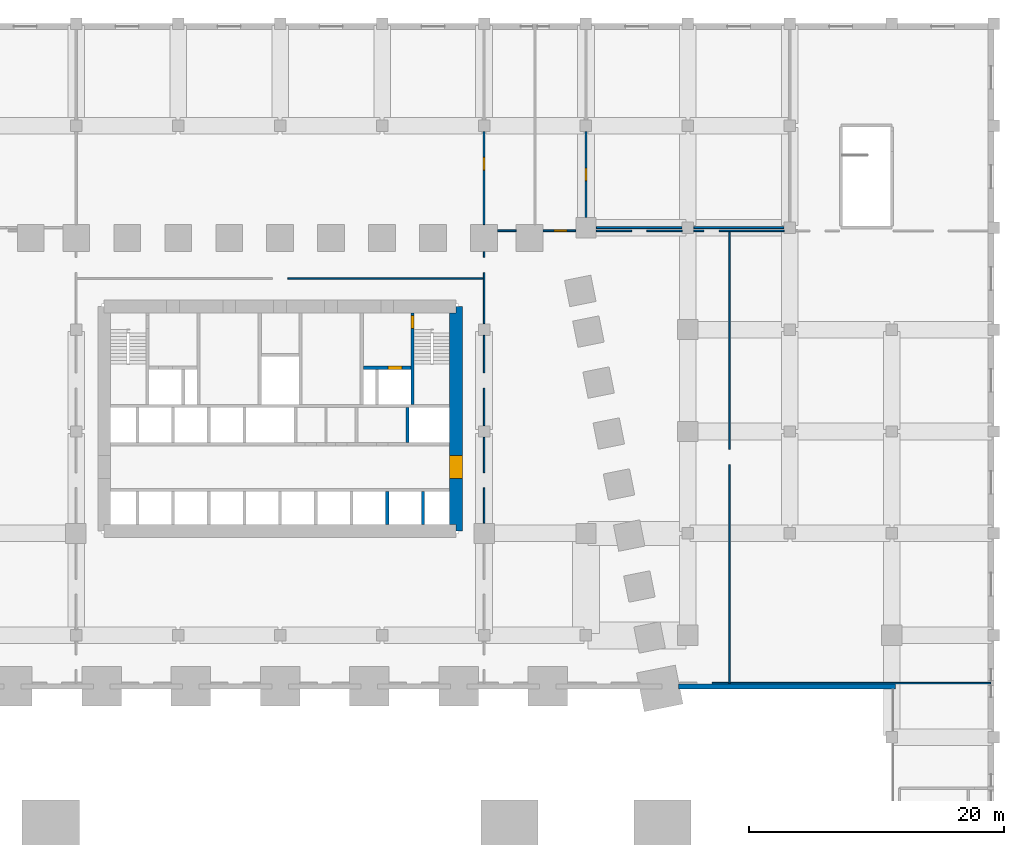
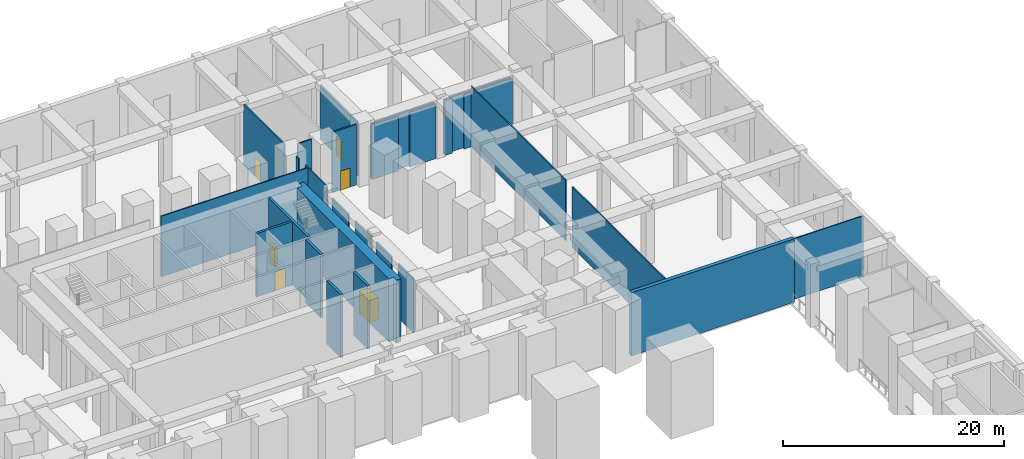
# One storey, part 11 of 18: 27 walls, 6 doors, 6 openings.
"""IFC4 building model written with IfcOpenShell, lengths in metres."""

from ifc_helpers import new_model, si_unit, direction, frame, frame_2d, origin, place, context, subcontext, project, spatial, polyline, rectangle, outline, extrude, material, layer, layer_set, type_object, element, fill, save


model = new_model("IFC4")

# Units and contexts
model_context = context("Model", 3, precision=1e-05, world=origin(), true_north=direction((0.0, 1.0)))
body_context = subcontext(model_context, "Body", "Model", "MODEL_VIEW")
ifc_project = project(units=[si_unit("LENGTHUNIT", "METRE"), si_unit("AREAUNIT", "SQUARE_METRE"), si_unit("VOLUMEUNIT", "CUBIC_METRE"), si_unit("PLANEANGLEUNIT", "RADIAN"), si_unit("MASSUNIT", "GRAM", prefix="KILO")], contexts=[model_context])

# Site, building, storey
site_placement = place(None, origin())
site = spatial("IfcSite", under=ifc_project, at=site_placement, CompositionType="ELEMENT")
building_placement = place(site_placement, origin())
building = spatial("IfcBuilding", under=site, at=building_placement, Name="Isbrekke Arena Tower", CompositionType="ELEMENT")
storey_placement = place(building_placement, frame((0.0, 0.0, 12.0)))
storey = spatial("IfcBuildingStorey", under=building, at=storey_placement, Name="L02", CompositionType="ELEMENT", Elevation=12.0)

# Wall
ifc_material_1 = material(Name="Concrete B45 (C45/55)", Category="concrete")
ifc_layer_1 = layer(ifc_material_1, 0.39990234375)
ifc_layer_set_1 = layer_set([ifc_layer_1], Name="AW1 ARENA WALL 400")
wall_type_1 = type_object("IfcWallType", Name="AW1 ARENA WALL 400", PredefinedType="SHEAR", material=ifc_layer_set_1)
wall_1_placement = place(storey_placement, frame((31.25, -6.0, 0.0), z_axis=(0.0, 0.0, 1.0), x_axis=(1.0, 0.0, 0.0)))
element("IfcWall", 1, at=wall_1_placement, inside=storey, type_object=wall_type_1, Name="Arena north wall 10", PredefinedType="SHEAR", context=body_context, shape_type="SweptSolid", body=[
    extrude(rectangle(XDim=17.050048828125, YDim=0.39990234375, at=frame_2d((8.52490234375, 0.0))), origin(), (0.0, 0.0, 1.0), 7.0),
])

# Wall, opening, door
ifc_material_2 = material(Name="Concrete B65 (C65/80)", Category="concrete")
ifc_layer_2 = layer(ifc_material_2, 1.0)
ifc_layer_set_2 = layer_set([ifc_layer_2], Name="CW1 CORE WALL 1000")
wall_type_2 = type_object("IfcWallType", Name="CW1 CORE WALL 1000", PredefinedType="SHEAR", material=ifc_layer_set_2)
wall_2_placement = place(storey_placement, frame((13.800048828125, 6.199951171875, 0.0), z_axis=(0.0, 0.0, 1.0), x_axis=(0.0, 1.0, 0.0)))
wall_2 = element("IfcWall", 2, at=wall_2_placement, inside=storey, type_object=wall_type_2, Name="Core wall E L02", PredefinedType="SHEAR", context=body_context, shape_type="SweptSolid", body=[
    extrude(outline(polyline([(0.0, -0.5), (17.60009765625, -0.5), (17.60009765625, 0.0), (17.10009765625, 0.0), (17.10009765625, 0.5), (0.5, 0.5), (0.5, 0.0), (0.0, 0.0), (0.0, -0.5)])), origin(), (0.0, 0.0, 1.0), 7.0),
])
opening_1_placement = place(wall_2_placement, frame((4.10009765625, 0.0, 0.0)))
opening_1 = element("IfcOpeningElement", 3, at=opening_1_placement, cuts=wall_2, Name="Opening D1", PredefinedType="OPENING", context=body_context, shape_type="SweptSolid", body=[
    extrude(rectangle(XDim=1.800048828125, YDim=2.39990234375, at=frame_2d((0.89990234375, 1.199951171875))), frame((0.0, 0.514892578125, 0.0), z_axis=(0.0, -1.0, 0.0), x_axis=(1.0, 0.0, 0.0)), (0.0, 0.0, 1.0), 1.02978515625),
])
ifc_material_3 = material(Name="Steel-framed glazed fire door", Category="steel")
door_type_1 = type_object("IfcDoorType", Name="D1 CORE LOBBY DOOR 1800 x 2400", OperationType="DOUBLE_DOOR_SINGLE_SWING", PredefinedType="DOOR", material=ifc_material_3)
door_1_placement = place(opening_1_placement, origin())
door_1 = element("IfcDoor", 4, at=door_1_placement, inside=storey, type_object=door_type_1, Name="D1 lift lobby door east L02", OperationType="DOUBLE_DOOR_SINGLE_SWING", OverallHeight=2.39990234375, OverallWidth=1.800048828125, PredefinedType="DOOR", context=body_context, shape_type="SweptSolid", body=[
    extrude(rectangle(XDim=1.800048828125, YDim=2.39990234375, at=frame_2d((0.89990234375, 1.199951171875))), frame((0.0, 0.499755859375, 0.0), z_axis=(0.0, -1.0, 0.0), x_axis=(1.0, 0.0, 0.0)), (0.0, 0.0, 1.0), 0.99951171875),
])
fill(opening_1, door_1)

# Walls
ifc_material_4 = material(Name="Concrete B45 (C45/55)", Category="concrete")
ifc_layer_3 = layer(ifc_material_4, 0.25)
ifc_layer_set_3 = layer_set([ifc_layer_3], Name="CW6 SHAFT WALL 250")
wall_type_3 = type_object("IfcWallType", Name="CW6 SHAFT WALL 250", PredefinedType="SHEAR", material=ifc_layer_set_3)
for number, where, z_axis, x_axis, name in (
    (5, (8.39990234375, 6.699951171875, 0.0), (0.0, 0.0, 1.0), (0.0, 1.0, 0.0), "Core wall SS08 L02"),
    (6, (11.199951171875, 6.699951171875, 0.0), (0.0, 0.0, 1.0), (0.0, 1.0, 0.0), "Core wall SS09 L02"),
):
    element("IfcWall", number, at=place(storey_placement, frame(where, z_axis=z_axis, x_axis=x_axis)), inside=storey, type_object=wall_type_3, Name=name, PredefinedType="SHEAR", context=body_context, shape_type="SweptSolid", body=[
        extrude(rectangle(XDim=2.574951171875, YDim=0.25, at=frame_2d((1.28759765625, 0.0))), origin(), (0.0, 0.0, 1.0), 7.0),
    ])
wall_3_placement = place(storey_placement, frame((10.0, 13.125, 0.0), z_axis=(0.0, 0.0, 1.0), x_axis=(0.0, 1.0, 0.0)))
element("IfcWall", 7, at=wall_3_placement, inside=storey, type_object=wall_type_3, Name="Core wall SN07 L02", PredefinedType="SHEAR", context=body_context, shape_type="SweptSolid", body=[
    extrude(rectangle(XDim=2.75, YDim=0.25, at=frame_2d((1.375, 0.0))), origin(), (0.0, 0.0, 1.0), 7.0),
])

# Wall, opening, door
wall_4_placement = place(storey_placement, frame((10.39990234375, 16.125, 0.0), z_axis=(0.0, 0.0, 1.0), x_axis=(0.0, 1.0, 0.0)))
wall_4 = element("IfcWall", 8, at=wall_4_placement, inside=storey, type_object=wall_type_3, Name="Core wall NV06 L02", PredefinedType="SHEAR", context=body_context, shape_type="SweptSolid", body=[
    extrude(rectangle(XDim=7.175048828125, YDim=0.25, at=frame_2d((3.58740234375, 0.0))), origin(), (0.0, 0.0, 1.0), 7.0),
])
opening_2_placement = place(wall_4_placement, frame((5.97509765625, 0.0, 0.0)))
opening_2 = element("IfcOpeningElement", 9, at=opening_2_placement, cuts=wall_4, Name="Opening D2", PredefinedType="OPENING", context=body_context, shape_type="SweptSolid", body=[
    extrude(rectangle(XDim=1.0, YDim=2.10009765625, at=frame_2d((0.5, 1.050048828125))), frame((0.0, 0.139892578125, 0.0), z_axis=(0.0, -1.0, 0.0), x_axis=(1.0, 0.0, 0.0)), (0.0, 0.0, 1.0), 0.27978515625),
])
ifc_material_5 = material(Name="Steel fire door", Category="steel")
door_type_2 = type_object("IfcDoorType", Name="D2 STAIR DOOR 1000 x 2100", OperationType="SINGLE_SWING_LEFT", PredefinedType="DOOR", material=ifc_material_5)
door_2_placement = place(opening_2_placement, origin())
door_2 = element("IfcDoor", 10, at=door_2_placement, inside=storey, type_object=door_type_2, Name="D2 stair door ST2 L02", OperationType="SINGLE_SWING_LEFT", OverallHeight=2.10009765625, OverallWidth=1.0, PredefinedType="DOOR", context=body_context, shape_type="SweptSolid", body=[
    extrude(rectangle(XDim=1.0, YDim=2.10009765625, at=frame_2d((0.5, 1.050048828125))), frame((0.0, 0.124755859375, 0.0), z_axis=(0.0, -1.0, 0.0), x_axis=(1.0, 0.0, 0.0)), (0.0, 0.0, 1.0), 0.24951171875),
])
fill(opening_2, door_2)

wall_5_placement = place(storey_placement, frame((6.52490234375, 19.0, 0.0), z_axis=(0.0, 0.0, 1.0), x_axis=(1.0, 0.0, 0.0)))
wall_5 = element("IfcWall", 11, at=wall_5_placement, inside=storey, type_object=wall_type_3, Name="Core wall NFE L02", PredefinedType="SHEAR", context=body_context, shape_type="SweptSolid", body=[
    extrude(rectangle(XDim=3.75, YDim=0.25, at=frame_2d((1.875, 0.0))), origin(), (0.0, 0.0, 1.0), 7.0),
])
opening_3_placement = place(wall_5_placement, frame((1.925048828125, 0.0, 0.0)))
opening_3 = element("IfcOpeningElement", 12, at=opening_3_placement, cuts=wall_5, Name="Opening LD2", PredefinedType="OPENING", context=body_context, shape_type="SweptSolid", body=[
    extrude(rectangle(XDim=1.10009765625, YDim=2.10009765625, at=frame_2d((0.550048828125, 1.050048828125))), frame((0.0, 0.139892578125, 0.0), z_axis=(0.0, -1.0, 0.0), x_axis=(1.0, 0.0, 0.0)), (0.0, 0.0, 1.0), 0.27978515625),
])
ifc_material_6 = material(Name="Stainless steel lift landing door", Category="steel")
door_type_3 = type_object("IfcDoorType", Name="LD2 FIRE-FIGHTING LIFT LANDING DOOR 1100 x 2100", OperationType="SLIDING_TO_RIGHT", PredefinedType="DOOR", material=ifc_material_6)
door_3_placement = place(opening_3_placement, origin())
door_3 = element("IfcDoor", 13, at=door_3_placement, inside=storey, type_object=door_type_3, Name="LD2 lift landing door LF L02", OperationType="SLIDING_TO_RIGHT", OverallHeight=2.10009765625, OverallWidth=1.10009765625, PredefinedType="DOOR", context=body_context, shape_type="SweptSolid", body=[
    extrude(rectangle(XDim=1.10009765625, YDim=2.10009765625, at=frame_2d((0.550048828125, 1.050048828125))), frame((0.0, 0.124755859375, 0.0), z_axis=(0.0, -1.0, 0.0), x_axis=(1.0, 0.0, 0.0)), (0.0, 0.0, 1.0), 0.24951171875),
])
fill(opening_3, door_3)

ifc_material_7 = material(Name="Gypsum board partition on steel studs", Category="steel")
ifc_layer_4 = layer(ifc_material_7, 0.14990234375)
ifc_layer_set_4 = layer_set([ifc_layer_4], Name="IW1 PARTITION 150")
wall_type_4 = type_object("IfcWallType", Name="IW1 PARTITION 150", PredefinedType="PARTITIONING", material=ifc_layer_set_4)
wall_6_placement = place(storey_placement, frame((16.0, 30.235107421875, 0.0), z_axis=(0.0, 0.0, 1.0), x_axis=(0.0, 1.0, 0.0)))
wall_6 = element("IfcWall", 14, at=wall_6_placement, inside=storey, type_object=wall_type_4, Name="IW1 partition L02", PredefinedType="PARTITIONING", context=body_context, shape_type="SweptSolid", body=[
    extrude(rectangle(XDim=7.304931640625, YDim=0.14990234375, at=frame_2d((3.65234375, 0.0))), origin(), (0.0, 0.0, 1.0), 6.699951171875),
])
opening_4_placement = place(wall_6_placement, frame((4.264892578125, 0.0, 0.0)))
opening_4 = element("IfcOpeningElement", 15, at=opening_4_placement, cuts=wall_6, Name="Opening D6", PredefinedType="OPENING", context=body_context, shape_type="SweptSolid", body=[
    extrude(rectangle(XDim=1.0, YDim=2.10009765625, at=frame_2d((0.5, 1.050048828125))), frame((0.0, 0.08984375, 0.0), z_axis=(0.0, -1.0, 0.0), x_axis=(1.0, 0.0, 0.0)), (0.0, 0.0, 1.0), 0.1796875),
])
ifc_material_8 = material(Name="Timber door", Category="wood")
door_type_4 = type_object("IfcDoorType", Name="D6 ROOM DOOR 1000 x 2100", OperationType="SINGLE_SWING_LEFT", PredefinedType="DOOR", material=ifc_material_8)
door_4_placement = place(opening_4_placement, origin())
door_4 = element("IfcDoor", 16, at=door_4_placement, inside=storey, type_object=door_type_4, Name="D6 door L02-12", OperationType="SINGLE_SWING_LEFT", OverallHeight=2.10009765625, OverallWidth=1.0, PredefinedType="DOOR", context=body_context, shape_type="SweptSolid", body=[
    extrude(rectangle(XDim=1.0, YDim=2.10009765625, at=frame_2d((0.5, 1.050048828125))), frame((0.0, 0.07470703125, 0.0), z_axis=(0.0, -1.0, 0.0), x_axis=(1.0, 0.0, 0.0)), (0.0, 0.0, 1.0), 0.1494140625),
])
fill(opening_4, door_4)

wall_7_placement = place(storey_placement, frame((24.0, 30.81005859375, 0.0), z_axis=(0.0, 0.0, 1.0), x_axis=(0.0, 1.0, 0.0)))
wall_7 = element("IfcWall", 17, at=wall_7_placement, inside=storey, type_object=wall_type_4, Name="IW1 partition L02", PredefinedType="PARTITIONING", context=body_context, shape_type="SweptSolid", body=[
    extrude(rectangle(XDim=6.72998046875, YDim=0.14990234375, at=frame_2d((3.364990234375, 0.0))), origin(), (0.0, 0.0, 1.0), 6.050048828125),
])
opening_5_placement = place(wall_7_placement, frame((2.864990234375, 0.0, 0.0)))
opening_5 = element("IfcOpeningElement", 18, at=opening_5_placement, cuts=wall_7, Name="Opening D6", PredefinedType="OPENING", context=body_context, shape_type="SweptSolid", body=[
    extrude(rectangle(XDim=1.0, YDim=2.10009765625, at=frame_2d((0.5, 1.050048828125))), frame((0.0, 0.08984375, 0.0), z_axis=(0.0, -1.0, 0.0), x_axis=(1.0, 0.0, 0.0)), (0.0, 0.0, 1.0), 0.1796875),
])
door_5_placement = place(opening_5_placement, origin())
door_5 = element("IfcDoor", 19, at=door_5_placement, inside=storey, type_object=door_type_4, Name="D6 door L02-05", OperationType="SINGLE_SWING_LEFT", OverallHeight=2.10009765625, OverallWidth=1.0, PredefinedType="DOOR", context=body_context, shape_type="SweptSolid", body=[
    extrude(rectangle(XDim=1.0, YDim=2.10009765625, at=frame_2d((0.5, 1.050048828125))), frame((0.0, 0.07470703125, 0.0), z_axis=(0.0, -1.0, 0.0), x_axis=(1.0, 0.0, 0.0)), (0.0, 0.0, 1.0), 0.1494140625),
])
fill(opening_5, door_5)

# Wall
wall_8_placement = place(storey_placement, frame((17.06005859375, 29.75, 0.0), z_axis=(0.0, 0.0, 1.0), x_axis=(1.0, 0.0, 0.0)))
element("IfcWall", 20, at=wall_8_placement, inside=storey, type_object=wall_type_4, Name="IW1 partition L02", PredefinedType="PARTITIONING", context=body_context, shape_type="SweptSolid", body=[
    extrude(rectangle(XDim=1.454833984375, YDim=0.14990234375, at=frame_2d((0.7275390625, 0.0))), origin(), (0.0, 0.0, 1.0), 6.699951171875),
])

# Wall, opening, door
wall_9_placement = place(storey_placement, frame((20.635009765625, 29.75, 0.0), z_axis=(0.0, 0.0, 1.0), x_axis=(1.0, 0.0, 0.0)))
wall_9 = element("IfcWall", 21, at=wall_9_placement, inside=storey, type_object=wall_type_4, Name="IW1 partition L02", PredefinedType="PARTITIONING", context=body_context, shape_type="SweptSolid", body=[
    extrude(rectangle(XDim=2.554931640625, YDim=0.14990234375, at=frame_2d((1.27734375, 0.0))), origin(), (0.0, 0.0, 1.0), 6.699951171875),
])
opening_6_placement = place(wall_9_placement, frame((0.864990234375, 0.0, 0.0)))
opening_6 = element("IfcOpeningElement", 22, at=opening_6_placement, cuts=wall_9, Name="Opening D6", PredefinedType="OPENING", context=body_context, shape_type="SweptSolid", body=[
    extrude(rectangle(XDim=1.0, YDim=2.10009765625, at=frame_2d((0.5, 1.050048828125))), frame((0.0, 0.08984375, 0.0), z_axis=(0.0, -1.0, 0.0), x_axis=(1.0, 0.0, 0.0)), (0.0, 0.0, 1.0), 0.1796875),
])
door_6_placement = place(opening_6_placement, origin())
door_6 = element("IfcDoor", 23, at=door_6_placement, inside=storey, type_object=door_type_4, Name="D6 door L02-15", OperationType="SINGLE_SWING_LEFT", OverallHeight=2.10009765625, OverallWidth=1.0, PredefinedType="DOOR", context=body_context, shape_type="SweptSolid", body=[
    extrude(rectangle(XDim=1.0, YDim=2.10009765625, at=frame_2d((0.5, 1.050048828125))), frame((0.0, 0.07470703125, 0.0), z_axis=(0.0, -1.0, 0.0), x_axis=(1.0, 0.0, 0.0)), (0.0, 0.0, 1.0), 0.1494140625),
])
fill(opening_6, door_6)

# Walls
wall_10_placement = place(storey_placement, frame((24.81005859375, 30.0, 0.0), z_axis=(0.0, 0.0, 1.0), x_axis=(1.0, 0.0, 0.0)))
element("IfcWall", 24, at=wall_10_placement, inside=storey, type_object=wall_type_4, Name="IW1 partition L02", PredefinedType="PARTITIONING", context=body_context, shape_type="SweptSolid", body=[
    extrude(rectangle(XDim=6.72998046875, YDim=0.14990234375, at=frame_2d((3.364990234375, 0.0))), origin(), (0.0, 0.0, 1.0), 6.050048828125),
])
wall_11_placement = place(storey_placement, frame((32.4599609375, 30.0, 0.0), z_axis=(0.0, 0.0, 1.0), x_axis=(1.0, 0.0, 0.0)))
element("IfcWall", 25, at=wall_11_placement, inside=storey, type_object=wall_type_4, Name="IW1 partition L02", PredefinedType="PARTITIONING", context=body_context, shape_type="SweptSolid", body=[
    extrude(rectangle(XDim=7.080078125, YDim=0.14990234375, at=frame_2d((3.5400390625, 0.0))), origin(), (0.0, 0.0, 1.0), 6.050048828125),
])
ifc_material_9 = material(Name="Frameless glazed partition, laminated acoustic glass", Category="glass")
ifc_layer_5 = layer(ifc_material_9, 0.1201171875)
ifc_layer_set_5 = layer_set([ifc_layer_5], Name="IW2 GLAZED PARTITION 120")
wall_type_5 = type_object("IfcWallType", Name="IW2 GLAZED PARTITION 120", PredefinedType="PARTITIONING", material=ifc_layer_set_5)
wall_12_placement = place(storey_placement, frame((16.0, 6.81005859375, 0.0), z_axis=(0.0, 0.0, 1.0), x_axis=(0.0, 1.0, 0.0)))
element("IfcWall", 26, at=wall_12_placement, inside=storey, type_object=wall_type_5, Name="IW2 glazed partition L02", PredefinedType="PARTITIONING", context=body_context, shape_type="SweptSolid", body=[
    extrude(rectangle(XDim=2.764892578125, YDim=0.1201171875, at=frame_2d((1.38232421875, 0.0))), origin(), (0.0, 0.0, 1.0), 6.050048828125),
])
wall_13_placement = place(storey_placement, frame((16.0, 10.77490234375, 0.0), z_axis=(0.0, 0.0, 1.0), x_axis=(0.0, 1.0, 0.0)))
element("IfcWall", 27, at=wall_13_placement, inside=storey, type_object=wall_type_5, Name="IW2 glazed partition L02", PredefinedType="PARTITIONING", context=body_context, shape_type="SweptSolid", body=[
    extrude(rectangle(XDim=2.76513671875, YDim=0.1201171875, at=frame_2d((1.382568359375, 0.0))), origin(), (0.0, 0.0, 1.0), 6.050048828125),
])
for number, where, z_axis, x_axis, name in (
    (28, (16.0, 14.4599609375, 0.0), (0.0, 0.0, 1.0), (0.0, 1.0, 0.0), "IW2 glazed partition L02"),
    (29, (16.0, 18.60009765625, 0.0), (0.0, 0.0, 1.0), (0.0, 1.0, 0.0), "IW2 glazed partition L02"),
):
    element("IfcWall", number, at=place(storey_placement, frame(where, z_axis=z_axis, x_axis=x_axis)), inside=storey, type_object=wall_type_5, Name=name, PredefinedType="PARTITIONING", context=body_context, shape_type="SweptSolid", body=[
        extrude(rectangle(XDim=2.93994140625, YDim=0.1201171875, at=frame_2d((1.469970703125, 0.0))), origin(), (0.0, 0.0, 1.0), 6.050048828125),
    ])
wall_14_placement = place(storey_placement, frame((16.0, 22.4599609375, 0.0), z_axis=(0.0, 0.0, 1.0), x_axis=(0.0, 1.0, 0.0)))
element("IfcWall", 30, at=wall_14_placement, inside=storey, type_object=wall_type_5, Name="IW2 glazed partition L02", PredefinedType="PARTITIONING", context=body_context, shape_type="SweptSolid", body=[
    extrude(rectangle(XDim=3.99755859375, YDim=0.1201171875, at=frame_2d((1.998779296875, 0.0))), origin(), (0.0, 0.0, 1.0), 6.699951171875),
])
wall_15_placement = place(storey_placement, frame((16.0, 27.657470703125, 0.0), z_axis=(0.0, 0.0, 1.0), x_axis=(0.0, 1.0, 0.0)))
element("IfcWall", 31, at=wall_15_placement, inside=storey, type_object=wall_type_5, Name="IW2 glazed partition L02", PredefinedType="PARTITIONING", context=body_context, shape_type="SweptSolid", body=[
    extrude(rectangle(XDim=0.45751953125, YDim=0.1201171875, at=frame_2d((0.228759765625, 0.0))), origin(), (0.0, 0.0, 1.0), 6.699951171875),
])
for number, where, z_axis, x_axis, name in (
    (32, (35.25, -5.75, 0.0), (0.0, 0.0, 1.0), (0.0, 1.0, 0.0), "IW2 glazed partition L02"),
    (33, (35.25, 12.60009765625, 0.0), (0.0, 0.0, 1.0), (0.0, 1.0, 0.0), "IW2 glazed partition L02"),
):
    element("IfcWall", number, at=place(storey_placement, frame(where, z_axis=z_axis, x_axis=x_axis)), inside=storey, type_object=wall_type_5, Name=name, PredefinedType="PARTITIONING", context=body_context, shape_type="SweptSolid", body=[
        extrude(rectangle(XDim=17.14990234375, YDim=0.1201171875, at=frame_2d((8.574951171875, 0.0))), origin(), (0.0, 0.0, 1.0), 6.699951171875),
    ])
wall_16_placement = place(storey_placement, frame((33.900390625, -5.75, 0.0), z_axis=(0.0, 0.0, 1.0), x_axis=(1.0, 0.0, 0.0)))
element("IfcWall", 34, at=wall_16_placement, inside=storey, type_object=wall_type_5, Name="IW2 glazed partition L02", PredefinedType="PARTITIONING", context=body_context, shape_type="SweptSolid", body=[
    extrude(rectangle(XDim=21.849609375, YDim=0.1201171875, at=frame_2d((10.9248046875, 0.0))), origin(), (0.0, 0.0, 1.0), 6.699951171875),
])
wall_17_placement = place(storey_placement, frame((0.60009765625, 26.0, 0.0), z_axis=(0.0, 0.0, 1.0), x_axis=(1.0, 0.0, 0.0)))
element("IfcWall", 35, at=wall_17_placement, inside=storey, type_object=wall_type_5, Name="IW2 glazed partition L02", PredefinedType="PARTITIONING", context=body_context, shape_type="SweptSolid", body=[
    extrude(rectangle(XDim=15.39990234375, YDim=0.1201171875, at=frame_2d((7.699951171875, 0.0))), origin(), (0.0, 0.0, 1.0), 6.699951171875),
])
wall_18_placement = place(storey_placement, frame((24.81005859375, 29.75, 0.0), z_axis=(0.0, 0.0, 1.0), x_axis=(1.0, 0.0, 0.0)))
element("IfcWall", 36, at=wall_18_placement, inside=storey, type_object=wall_type_5, Name="IW2 glazed partition L02", PredefinedType="PARTITIONING", context=body_context, shape_type="SweptSolid", body=[
    extrude(rectangle(XDim=2.764892578125, YDim=0.1201171875, at=frame_2d((1.38232421875, 0.0))), origin(), (0.0, 0.0, 1.0), 6.050048828125),
])
wall_19_placement = place(storey_placement, frame((28.77490234375, 29.75, 0.0), z_axis=(0.0, 0.0, 1.0), x_axis=(1.0, 0.0, 0.0)))
element("IfcWall", 37, at=wall_19_placement, inside=storey, type_object=wall_type_5, Name="IW2 glazed partition L02", PredefinedType="PARTITIONING", context=body_context, shape_type="SweptSolid", body=[
    extrude(rectangle(XDim=2.76513671875, YDim=0.1201171875, at=frame_2d((1.382568359375, 0.0))), origin(), (0.0, 0.0, 1.0), 6.050048828125),
])
wall_20_placement = place(storey_placement, frame((32.4599609375, 29.75, 0.0), z_axis=(0.0, 0.0, 1.0), x_axis=(1.0, 0.0, 0.0)))
element("IfcWall", 38, at=wall_20_placement, inside=storey, type_object=wall_type_5, Name="IW2 glazed partition L02", PredefinedType="PARTITIONING", context=body_context, shape_type="SweptSolid", body=[
    extrude(rectangle(XDim=0.794921875, YDim=0.1201171875, at=frame_2d((0.3974609375, 0.0))), origin(), (0.0, 0.0, 1.0), 6.050048828125),
])
wall_21_placement = place(storey_placement, frame((34.455078125, 29.75, 0.0), z_axis=(0.0, 0.0, 1.0), x_axis=(1.0, 0.0, 0.0)))
element("IfcWall", 39, at=wall_21_placement, inside=storey, type_object=wall_type_5, Name="IW2 glazed partition L02", PredefinedType="PARTITIONING", context=body_context, shape_type="SweptSolid", body=[
    extrude(rectangle(XDim=5.0849609375, YDim=0.1201171875, at=frame_2d((2.54248046875, 0.0))), origin(), (0.0, 0.0, 1.0), 6.050048828125),
])

save(model, "model.ifc")
